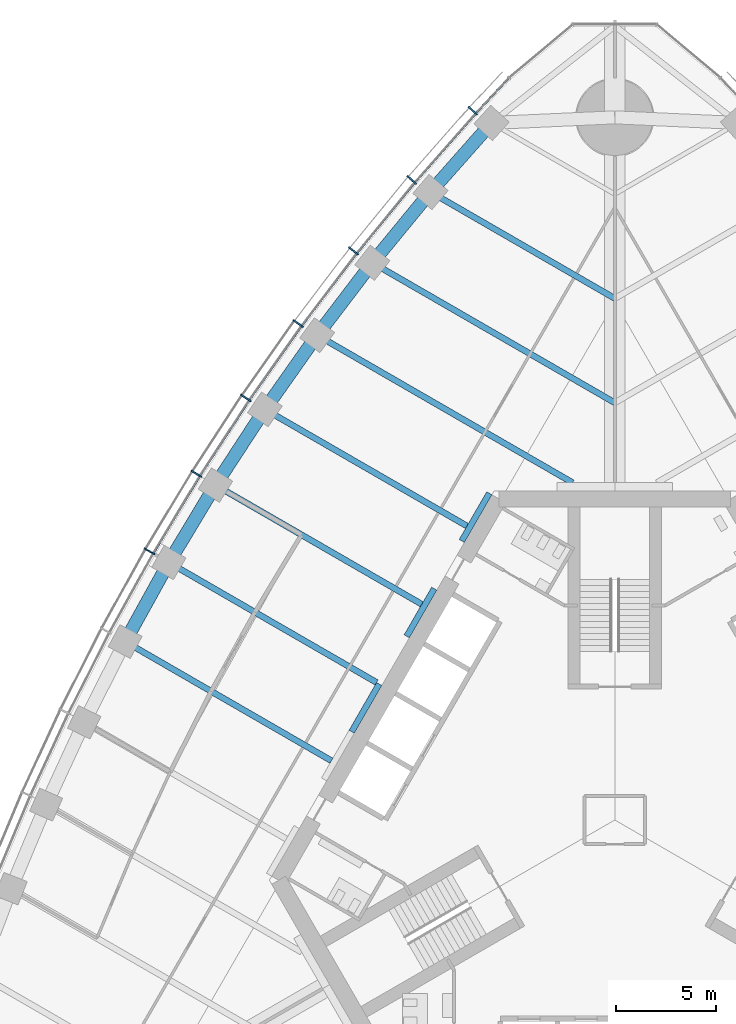
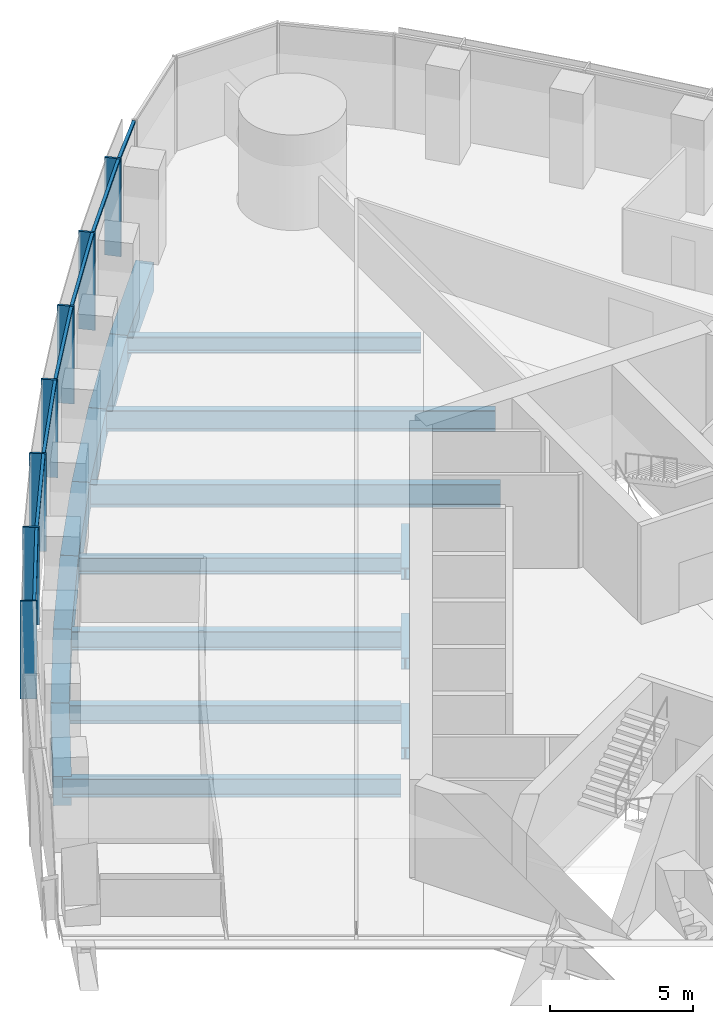
# One storey, part 4 of 21: 17 beams, 14 members, 1 element without a shape of its own.
"""IFC4 building model written with IfcOpenShell, lengths in metres."""

from ifc_helpers import new_model, si_unit, direction, frame, origin, origin_2d, place, context, subcontext, project, spatial, rectangle, i_section, extrude, material, material_profile, profile_set, type_object, element, aggregate, save


model = new_model("IFC4")

# Units and contexts
model_context = context("Model", 3, precision=1e-05, world=origin(), true_north=direction((0.0, 1.0)))
body_context = subcontext(model_context, "Body", "Model", "MODEL_VIEW")
ifc_project = project(units=[si_unit("LENGTHUNIT", "METRE"), si_unit("AREAUNIT", "SQUARE_METRE"), si_unit("VOLUMEUNIT", "CUBIC_METRE"), si_unit("PLANEANGLEUNIT", "RADIAN"), si_unit("MASSUNIT", "GRAM", prefix="KILO")], contexts=[model_context])

# Site, building, storey
site_placement = place(None, origin())
site = spatial("IfcSite", under=ifc_project, at=site_placement, CompositionType="ELEMENT")
building_placement = place(site_placement, origin())
building = spatial("IfcBuilding", under=site, at=building_placement, Name="Trefoil Bronze Tower", CompositionType="ELEMENT")
storey_placement = place(building_placement, frame((0.0, 0.0, 149.300048828125)))
storey = spatial("IfcBuildingStorey", under=building, at=storey_placement, Name="L34", CompositionType="ELEMENT", Elevation=149.300048828125)

# Curtain wall, members
ifc_material_1 = material(Name="Tinted solar-control glass", Category="glass")
curtain_wall_type = type_object("IfcCurtainWallType", Name="Bronze office curtain wall", PredefinedType="USERDEFINED", material=ifc_material_1)
curtain_wall_placement = place(storey_placement, origin())
curtain_wall = element("IfcCurtainWall", 1, at=curtain_wall_placement, inside=storey, type_object=curtain_wall_type, Name="CW-A L34 F3", ObjectType="CURTAIN WALL", PredefinedType="USERDEFINED")
ifc_material_2 = material(Name="Bronze-finish aluminium", Category="aluminium")
ifc_material_profile_1 = material_profile(ifc_material_2, rectangle(XDim=0.60009765625, YDim=0.080078125, at=origin_2d()), Name="CW-A mullion")
ifc_profile_set_1 = profile_set([ifc_material_profile_1], Name="Bronze-finish aluminium")
member_type_1 = type_object("IfcMemberType", Name="Bronze office curtain wall mullion", PredefinedType="MULLION", material=ifc_profile_set_1)
member_1_placement = place(storey_placement, frame((-7.070068359375, 35.332275390625, 0.0), z_axis=(0.0, 0.0, 1.0), x_axis=(0.740360700327, -0.672209813534, 0.0)))
member_1 = element("IfcMember", 2, at=member_1_placement, type_object=member_type_1, Name="CW-A L34 F3 mullion 2", PredefinedType="MULLION", context=body_context, shape_type="SweptSolid", body=[
    extrude(rectangle(XDim=0.60009765625, YDim=0.080078125, at=origin_2d()), origin(), (0.0, 0.0, 1.0), 4.179931640625),
])
member_2_placement = place(storey_placement, frame((-10.11474609375, 31.8828125, 0.0), z_axis=(0.0, 0.0, 1.0), x_axis=(0.761721651066, -0.647904411389, 0.0)))
member_2 = element("IfcMember", 3, at=member_2_placement, type_object=member_type_1, Name="CW-A L34 F3 mullion 3", PredefinedType="MULLION", context=body_context, shape_type="SweptSolid", body=[
    extrude(rectangle(XDim=0.60009765625, YDim=0.080078125, at=origin_2d()), origin(), (0.0, 0.0, 1.0), 4.179931640625),
])
member_3_placement = place(storey_placement, frame((-13.01220703125, 28.34716796875, 0.0), z_axis=(0.0, 0.0, 1.0), x_axis=(0.78487913905, -0.619648882098, 0.0)))
member_3 = element("IfcMember", 4, at=member_3_placement, type_object=member_type_1, Name="CW-A L34 F3 mullion 4", PredefinedType="MULLION", context=body_context, shape_type="SweptSolid", body=[
    extrude(rectangle(XDim=0.60009765625, YDim=0.080078125, at=origin_2d()), origin(), (0.0, 0.0, 1.0), 4.179931640625),
])
member_4_placement = place(storey_placement, frame((-15.764404296875, 24.7275390625, 0.0), z_axis=(0.0, 0.0, 1.0), x_axis=(0.806874522901, -0.590722865897, 0.0)))
member_4 = element("IfcMember", 5, at=member_4_placement, type_object=member_type_1, Name="CW-A L34 F3 mullion 5", PredefinedType="MULLION", context=body_context, shape_type="SweptSolid", body=[
    extrude(rectangle(XDim=0.60009765625, YDim=0.080078125, at=origin_2d()), origin(), (0.0, 0.0, 1.0), 4.179931640625),
])
member_5_placement = place(storey_placement, frame((-18.373046875, 21.025146484375, 0.0), z_axis=(0.0, 0.0, 1.0), x_axis=(0.827723925749, -0.561135547566, 0.0)))
member_5 = element("IfcMember", 6, at=member_5_placement, type_object=member_type_1, Name="CW-A L34 F3 mullion 6", PredefinedType="MULLION", context=body_context, shape_type="SweptSolid", body=[
    extrude(rectangle(XDim=0.60009765625, YDim=0.080078125, at=origin_2d()), origin(), (0.0, 0.0, 1.0), 4.179931640625),
])
member_6_placement = place(storey_placement, frame((-20.840087890625, 17.24072265625, 0.0), z_axis=(0.0, 0.0, 1.0), x_axis=(0.84743864936, -0.530893337283, 0.0)))
member_6 = element("IfcMember", 7, at=member_6_placement, type_object=member_type_1, Name="CW-A L34 F3 mullion 7", PredefinedType="MULLION", context=body_context, shape_type="SweptSolid", body=[
    extrude(rectangle(XDim=0.60009765625, YDim=0.080078125, at=origin_2d()), origin(), (0.0, 0.0, 1.0), 4.179931640625),
])
member_7_placement = place(storey_placement, frame((-23.166015625, 13.374755859375, 0.0), z_axis=(0.0, 0.0, 1.0), x_axis=(0.866025403784, -0.5, 0.0)))
member_7 = element("IfcMember", 8, at=member_7_placement, type_object=member_type_1, Name="CW-A L34 F3 mullion 8", PredefinedType="MULLION", context=body_context, shape_type="SweptSolid", body=[
    extrude(rectangle(XDim=0.60009765625, YDim=0.080078125, at=origin_2d()), origin(), (0.0, 0.0, 1.0), 4.179931640625),
])
ifc_material_3 = material(Name="Bronze-finish aluminium", Category="aluminium")
ifc_material_profile_2 = material_profile(ifc_material_3, rectangle(XDim=0.1201171875, YDim=0.10009765625, at=origin_2d()), Name="CW-A transom")
ifc_profile_set_2 = profile_set([ifc_material_profile_2], Name="Bronze-finish aluminium")
member_type_2 = type_object("IfcMemberType", Name="Bronze office curtain wall transom", PredefinedType="USERDEFINED", material=ifc_profile_set_2)
member_8_placement = place(storey_placement, frame((-5.296630859375, 36.9384765625, 4.1298828125), z_axis=(-0.682489214428, -0.730895664366, 0.0), x_axis=(0.730895664366, -0.682489214428, 0.0)))
member_8 = element("IfcMember", 9, at=member_8_placement, type_object=member_type_2, Name="CW-A L34 F3 transom 1", ObjectType="TRANSOM", PredefinedType="USERDEFINED", context=body_context, shape_type="SweptSolid", body=[
    extrude(rectangle(XDim=0.1201171875, YDim=0.10009765625, at=origin_2d()), origin(), (0.0, 0.0, 1.0), 2.340087890625),
])
member_9_placement = place(storey_placement, frame((-6.949462890625, 35.166748046875, 4.1298828125), z_axis=(-0.66173618877, -0.749736764786, 0.0), x_axis=(0.749736764786, -0.66173618877, 0.0)))
member_9 = element("IfcMember", 10, at=member_9_placement, type_object=member_type_2, Name="CW-A L34 F3 transom 2", ObjectType="TRANSOM", PredefinedType="USERDEFINED", context=body_context, shape_type="SweptSolid", body=[
    extrude(rectangle(XDim=0.1201171875, YDim=0.10009765625, at=origin_2d()), origin(), (0.0, 0.0, 1.0), 4.510986328125),
])
member_10_placement = place(storey_placement, frame((-9.98876953125, 31.720947265625, 4.1298828125), z_axis=(-0.633848872297, -0.773456919995, 0.0), x_axis=(0.773456919995, -0.633848872297, 0.0)))
member_10 = element("IfcMember", 11, at=member_10_placement, type_object=member_type_2, Name="CW-A L34 F3 transom 3", ObjectType="TRANSOM", PredefinedType="USERDEFINED", context=body_context, shape_type="SweptSolid", body=[
    extrude(rectangle(XDim=0.1201171875, YDim=0.10009765625, at=origin_2d()), origin(), (0.0, 0.0, 1.0), 4.480224609375),
])
member_11_placement = place(storey_placement, frame((-12.880615234375, 28.18994140625, 4.1298828125), z_axis=(-0.605229114572, -0.796051329296, 0.0), x_axis=(0.796051329296, -0.605229114572, 0.0)))
member_11 = element("IfcMember", 12, at=member_11_placement, type_object=member_type_2, Name="CW-A L34 F3 transom 4", ObjectType="TRANSOM", PredefinedType="USERDEFINED", context=body_context, shape_type="SweptSolid", body=[
    extrude(rectangle(XDim=0.1201171875, YDim=0.10009765625, at=origin_2d()), origin(), (0.0, 0.0, 1.0), 4.456298828125),
])
member_12_placement = place(storey_placement, frame((-15.626953125, 24.5751953125, 4.1298828125), z_axis=(-0.576017858824, -0.817437108478, 0.0), x_axis=(0.817437108478, -0.576017858824, 0.0)))
member_12 = element("IfcMember", 13, at=member_12_placement, type_object=member_type_2, Name="CW-A L34 F3 transom 5", ObjectType="TRANSOM", PredefinedType="USERDEFINED", context=body_context, shape_type="SweptSolid", body=[
    extrude(rectangle(XDim=0.1201171875, YDim=0.10009765625, at=origin_2d()), origin(), (0.0, 0.0, 1.0), 4.4384765625),
])
member_13_placement = place(storey_placement, frame((-18.23046875, 20.877685546875, 4.1298828125), z_axis=(-0.546079336226, -0.837733465099, 0.0), x_axis=(0.837733465099, -0.546079336226, 0.0)))
member_13 = element("IfcMember", 14, at=member_13_placement, type_object=member_type_2, Name="CW-A L34 F3 transom 6", ObjectType="TRANSOM", PredefinedType="USERDEFINED", context=body_context, shape_type="SweptSolid", body=[
    extrude(rectangle(XDim=0.1201171875, YDim=0.10009765625, at=origin_2d()), origin(), (0.0, 0.0, 1.0), 4.426513671875),
])
member_14_placement = place(storey_placement, frame((-20.692138671875, 17.0986328125, 4.1298828125), z_axis=(-0.515526794174, -0.856873458854, 0.0), x_axis=(0.856873458854, -0.515526794174, 0.0)))
member_14 = element("IfcMember", 15, at=member_14_placement, type_object=member_type_2, Name="CW-A L34 F3 transom 7", ObjectType="TRANSOM", PredefinedType="USERDEFINED", context=body_context, shape_type="SweptSolid", body=[
    extrude(rectangle(XDim=0.1201171875, YDim=0.10009765625, at=origin_2d()), origin(), (0.0, 0.0, 1.0), 4.4208984375),
])
aggregate(curtain_wall, [member_1, member_2, member_3, member_4, member_5, member_6, member_7, member_8, member_9, member_10, member_11, member_12, member_13, member_14])

# Beams
ifc_material_4 = material(Name="Steel C355", Category="steel")
ifc_material_profile_3 = material_profile(ifc_material_4, i_section(OverallWidth=0.300048828125, OverallDepth=0.5, WebThickness=0.014404296875, FlangeThickness=0.028076171875, FilletRadius=0.027099609375, at=origin_2d()), Name="HEB 500")
ifc_profile_set_3 = profile_set([ifc_material_profile_3], Name="Steel C355")
beam_type_1 = type_object("IfcBeamType", Name="Core seat beam HEB 500", PredefinedType="BEAM", material=ifc_profile_set_3)
for number, where, z_axis, x_axis, name in (
    (16, (-6.249755859375, 16.27490234375, -0.449951171875), (-0.500035825175, -0.866004719122, 0.0), (0.866004719122, -0.500035825175, 0.0), "Core seat beam F3/-2 L34"),
    (17, (-8.9921875, 11.52490234375, -0.449951171875), (-0.500035825175, -0.866004719122, 0.0), (0.866004719122, -0.500035825175, 0.0), "Core seat beam F3/-1 L34"),
    (18, (-11.734619140625, 6.77490234375, -0.449951171875), (-0.500035825175, -0.866004719122, 0.0), (0.866004719122, -0.500035825175, 0.0), "Core seat beam F3/+0 L34"),
):
    element("IfcBeam", number, at=place(storey_placement, frame(where, z_axis=z_axis, x_axis=x_axis)), inside=storey, type_object=beam_type_1, Name=name, PredefinedType="BEAM", context=body_context, shape_type="SweptSolid", body=[
        extrude(i_section(OverallWidth=0.300048828125, OverallDepth=0.5, WebThickness=0.014404296875, FlangeThickness=0.028076171875, FilletRadius=0.027099609375, at=origin_2d()), origin(), (0.0, 0.0, 1.0), 2.742431640625),
    ])
ifc_material_5 = material(Name="Steel C355", Category="steel")
ifc_material_profile_4 = material_profile(ifc_material_5, i_section(OverallWidth=0.300048828125, OverallDepth=1.0, WebThickness=0.01904296875, FlangeThickness=0.035888671875, FilletRadius=0.030029296875, at=origin_2d()), Name="HEB 1000")
ifc_profile_set_4 = profile_set([ifc_material_profile_4], Name="Steel C355")
beam_type_2 = type_object("IfcBeamType", Name="Floor beam HEB 1000", PredefinedType="BEAM", material=ifc_profile_set_4)
beam_1_placement = place(storey_placement, frame((-14.825439453125, 24.14794921875, -0.699951171875), z_axis=(0.866027342682, -0.499996641717, 0.0), x_axis=(0.499996641717, 0.866027342682, 0.0)))
element("IfcBeam", 19, at=beam_1_placement, inside=storey, type_object=beam_type_2, Name="Floor beam F3/-3 L34", PredefinedType="BEAM", context=body_context, shape_type="SweptSolid", body=[
    extrude(i_section(OverallWidth=0.300048828125, OverallDepth=1.0, WebThickness=0.01904296875, FlangeThickness=0.035888671875, FilletRadius=0.030029296875, at=origin_2d()), origin(), (0.0, 0.0, 1.0), 14.69580078125),
])
ifc_material_6 = material(Name="Steel C355", Category="steel")
ifc_material_profile_5 = material_profile(ifc_material_6, i_section(OverallWidth=0.300048828125, OverallDepth=0.699951171875, WebThickness=0.01708984375, FlangeThickness=0.031982421875, FilletRadius=0.027099609375, at=origin_2d()), Name="HEB 700")
ifc_profile_set_5 = profile_set([ifc_material_profile_5], Name="Steel C355")
beam_type_3 = type_object("IfcBeamType", Name="Floor beam HEB 700", PredefinedType="BEAM", material=ifc_profile_set_5)
beam_2_placement = place(storey_placement, frame((-9.181884765625, 31.281982421875, -0.550048828125), z_axis=(0.866021079084, -0.500007490527, 0.0), x_axis=(0.500007490527, 0.866021079084, 0.0)))
element("IfcBeam", 20, at=beam_2_placement, inside=storey, type_object=beam_type_3, Name="Floor beam F3/-5 L34", PredefinedType="BEAM", context=body_context, shape_type="SweptSolid", body=[
    extrude(i_section(OverallWidth=0.300048828125, OverallDepth=0.699951171875, WebThickness=0.01708984375, FlangeThickness=0.031982421875, FilletRadius=0.027099609375, at=origin_2d()), origin(), (0.0, 0.0, 1.0), 10.602294921875),
])
beam_3_placement = place(storey_placement, frame((-17.43017578125, 20.45556640625, -0.550048828125), z_axis=(0.866030626868, -0.499990953245, 0.0), x_axis=(0.499990953245, 0.866030626868, 0.0)))
element("IfcBeam", 21, at=beam_3_placement, inside=storey, type_object=beam_type_3, Name="Floor beam F3/-2 L34", PredefinedType="BEAM", context=body_context, shape_type="SweptSolid", body=[
    extrude(i_section(OverallWidth=0.300048828125, OverallDepth=0.699951171875, WebThickness=0.01708984375, FlangeThickness=0.031982421875, FilletRadius=0.027099609375, at=origin_2d()), origin(), (0.0, 0.0, 1.0), 11.622802734375),
])
ifc_material_7 = material(Name="Steel C355", Category="steel")
ifc_material_profile_6 = material_profile(ifc_material_7, i_section(OverallWidth=0.300048828125, OverallDepth=0.800048828125, WebThickness=0.017578125, FlangeThickness=0.032958984375, FilletRadius=0.030029296875, at=origin_2d()), Name="HEB 800")
ifc_profile_set_6 = profile_set([ifc_material_profile_6], Name="Steel C355")
beam_type_4 = type_object("IfcBeamType", Name="Floor beam HEB 800", PredefinedType="BEAM", material=ifc_profile_set_6)
beam_4_placement = place(storey_placement, frame((-19.892578125, 16.68115234375, -0.60009765625), z_axis=(0.866024236736, -0.500002021381, 0.0), x_axis=(0.500002021381, 0.866024236736, 0.0)))
element("IfcBeam", 22, at=beam_4_placement, inside=storey, type_object=beam_type_4, Name="Floor beam F3/-1 L34", PredefinedType="BEAM", context=body_context, shape_type="SweptSolid", body=[
    extrude(i_section(OverallWidth=0.300048828125, OverallDepth=0.800048828125, WebThickness=0.017578125, FlangeThickness=0.032958984375, FilletRadius=0.030029296875, at=origin_2d()), origin(), (0.0, 0.0, 1.0), 11.8681640625),
])
beam_5_placement = place(storey_placement, frame((-22.21337890625, 12.824951171875, -0.60009765625), z_axis=(0.866028062731, -0.499995394541, 0.0), x_axis=(0.499995394541, 0.866028062731, 0.0)))
element("IfcBeam", 23, at=beam_5_placement, inside=storey, type_object=beam_type_4, Name="Floor beam F3/+0 L34", PredefinedType="BEAM", context=body_context, shape_type="SweptSolid", body=[
    extrude(i_section(OverallWidth=0.300048828125, OverallDepth=0.800048828125, WebThickness=0.017578125, FlangeThickness=0.032958984375, FilletRadius=0.030029296875, at=origin_2d()), origin(), (0.0, 0.0, 1.0), 11.94970703125),
])
beam_6_placement = place(storey_placement, frame((-24.392578125, 8.886962890625, -0.60009765625), z_axis=(0.866024236736, -0.500002021381, 0.0), x_axis=(0.500002021381, 0.866024236736, 0.0)))
element("IfcBeam", 24, at=beam_6_placement, inside=storey, type_object=beam_type_4, Name="Floor beam F3/+1 L34", PredefinedType="BEAM", context=body_context, shape_type="SweptSolid", body=[
    extrude(i_section(OverallWidth=0.300048828125, OverallDepth=0.800048828125, WebThickness=0.017578125, FlangeThickness=0.032958984375, FilletRadius=0.030029296875, at=origin_2d()), origin(), (0.0, 0.0, 1.0), 11.8681640625),
])
ifc_material_8 = material(Name="Steel C355", Category="steel")
ifc_material_profile_7 = material_profile(ifc_material_8, i_section(OverallWidth=0.300048828125, OverallDepth=0.89990234375, WebThickness=0.0185546875, FlangeThickness=0.034912109375, FilletRadius=0.030029296875, at=origin_2d()), Name="HEB 900")
ifc_profile_set_7 = profile_set([ifc_material_profile_7], Name="Steel C355")
beam_type_5 = type_object("IfcBeamType", Name="Floor beam HEB 900", PredefinedType="BEAM", material=ifc_profile_set_7)
beam_7_placement = place(storey_placement, frame((-12.07666015625, 27.757080078125, -0.650146484375), z_axis=(0.866026983775, -0.499997263366, 0.0), x_axis=(0.499997263366, 0.866026983775, 0.0)))
element("IfcBeam", 25, at=beam_7_placement, inside=storey, type_object=beam_type_5, Name="Floor beam F3/-4 L34", PredefinedType="BEAM", context=body_context, shape_type="SweptSolid", body=[
    extrude(i_section(OverallWidth=0.300048828125, OverallDepth=0.89990234375, WebThickness=0.0185546875, FlangeThickness=0.034912109375, FilletRadius=0.030029296875, at=origin_2d()), origin(), (0.0, 0.0, 1.0), 13.94482421875),
])
ifc_material_9 = material(Name="Concrete B80", Category="concrete")
ifc_material_profile_8 = material_profile(ifc_material_9, rectangle(XDim=0.64990234375, YDim=1.25, at=origin_2d()), Name="RC 650x1250")
ifc_profile_set_8 = profile_set([ifc_material_profile_8], Name="Concrete B80")
beam_type_6 = type_object("IfcBeamType", Name="Spandrel beam RC 650x1250", PredefinedType="SPANDREL", material=ifc_profile_set_8)
beam_8_placement = place(storey_placement, frame((-6.13916015625, 34.72119140625, -0.824951171875), z_axis=(-0.662616326239, -0.748959013699, 0.0), x_axis=(0.748959013699, -0.662616326239, 0.0)))
element("IfcBeam", 26, at=beam_8_placement, inside=storey, type_object=beam_type_6, Name="Spandrel F3.2 L34", PredefinedType="SPANDREL", context=body_context, shape_type="SweptSolid", body=[
    extrude(rectangle(XDim=0.64990234375, YDim=1.25, at=origin_2d()), origin(), (0.0, 0.0, 1.0), 4.592041015625),
])
beam_9_placement = place(storey_placement, frame((-9.181884765625, 31.281982421875, -0.824951171875), z_axis=(-0.634650386838, -0.772799383079, 0.0), x_axis=(0.772799383079, -0.634650386838, 0.0)))
element("IfcBeam", 27, at=beam_9_placement, inside=storey, type_object=beam_type_6, Name="Spandrel F3.3 L34", PredefinedType="SPANDREL", context=body_context, shape_type="SweptSolid", body=[
    extrude(rectangle(XDim=0.64990234375, YDim=1.25, at=origin_2d()), origin(), (0.0, 0.0, 1.0), 4.561279296875),
])
beam_10_placement = place(storey_placement, frame((-12.07666015625, 27.757080078125, -0.824951171875), z_axis=(-0.605898901788, -0.795541652468, 0.0), x_axis=(0.795541652468, -0.605898901788, 0.0)))
element("IfcBeam", 28, at=beam_10_placement, inside=storey, type_object=beam_type_6, Name="Spandrel F3.4 L34", PredefinedType="SPANDREL", context=body_context, shape_type="SweptSolid", body=[
    extrude(rectangle(XDim=0.64990234375, YDim=1.25, at=origin_2d()), origin(), (0.0, 0.0, 1.0), 4.53662109375),
])
beam_11_placement = place(storey_placement, frame((-14.825439453125, 24.14794921875, -0.824951171875), z_axis=(-0.576439228712, -0.81714002203, 0.0), x_axis=(0.81714002203, -0.576439228712, 0.0)))
element("IfcBeam", 29, at=beam_11_placement, inside=storey, type_object=beam_type_6, Name="Spandrel F3.5 L34", PredefinedType="SPANDREL", context=body_context, shape_type="SweptSolid", body=[
    extrude(rectangle(XDim=0.64990234375, YDim=1.25, at=origin_2d()), origin(), (0.0, 0.0, 1.0), 4.5185546875),
])
beam_12_placement = place(storey_placement, frame((-17.43017578125, 20.45556640625, -0.824951171875), z_axis=(-0.546396670296, -0.83752652417, 0.0), x_axis=(0.83752652417, -0.546396670296, 0.0)))
element("IfcBeam", 30, at=beam_12_placement, inside=storey, type_object=beam_type_6, Name="Spandrel F3.6 L34", PredefinedType="SPANDREL", context=body_context, shape_type="SweptSolid", body=[
    extrude(rectangle(XDim=0.64990234375, YDim=1.25, at=origin_2d()), origin(), (0.0, 0.0, 1.0), 4.506591796875),
])
for number, where, z_axis, x_axis, name in (
    (31, (-19.892578125, 16.68115234375, -0.824951171875), (-0.515651979972, -0.856798129988, 0.0), (0.856798129988, -0.515651979972, 0.0), "Spandrel F3.7 L34"),
    (32, (-22.21337890625, 12.824951171875, -0.824951171875), (-0.484186866546, -0.874964615436, 0.0), (0.874964615436, -0.484186866546, 0.0), "Spandrel F3.8 L34"),
):
    element("IfcBeam", number, at=place(storey_placement, frame(where, z_axis=z_axis, x_axis=x_axis)), inside=storey, type_object=beam_type_6, Name=name, PredefinedType="SPANDREL", context=body_context, shape_type="SweptSolid", body=[
        extrude(rectangle(XDim=0.64990234375, YDim=1.25, at=origin_2d()), origin(), (0.0, 0.0, 1.0), 4.500732421875),
    ])

save(model, "model.ifc")
